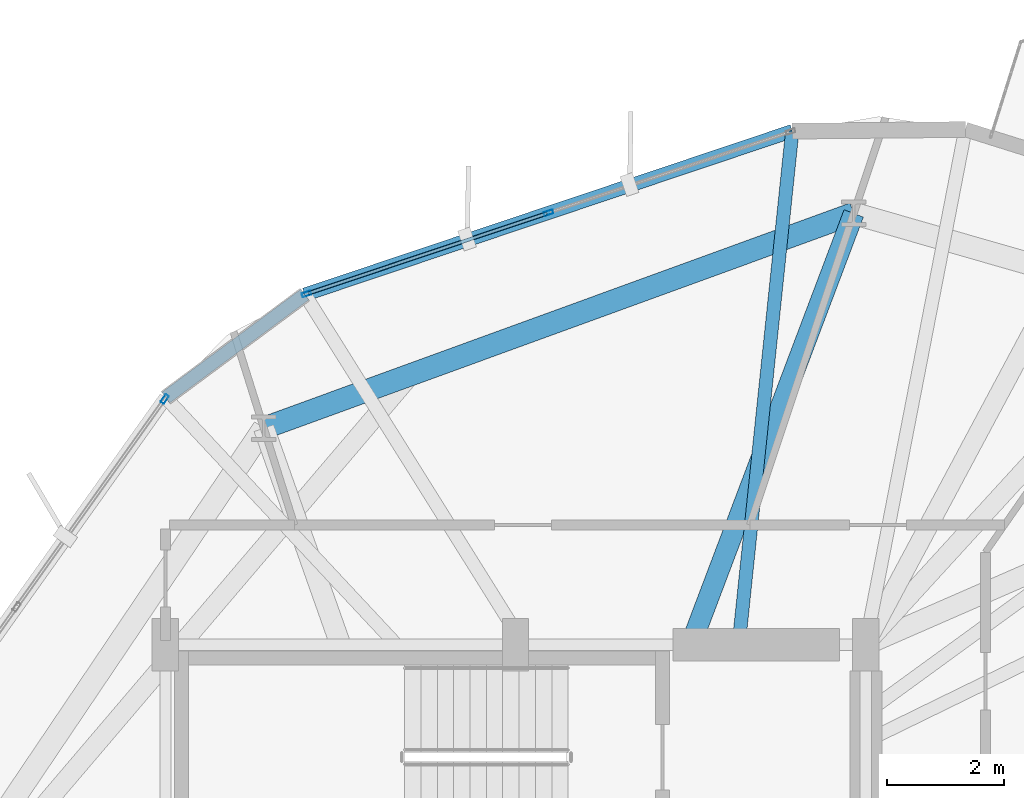
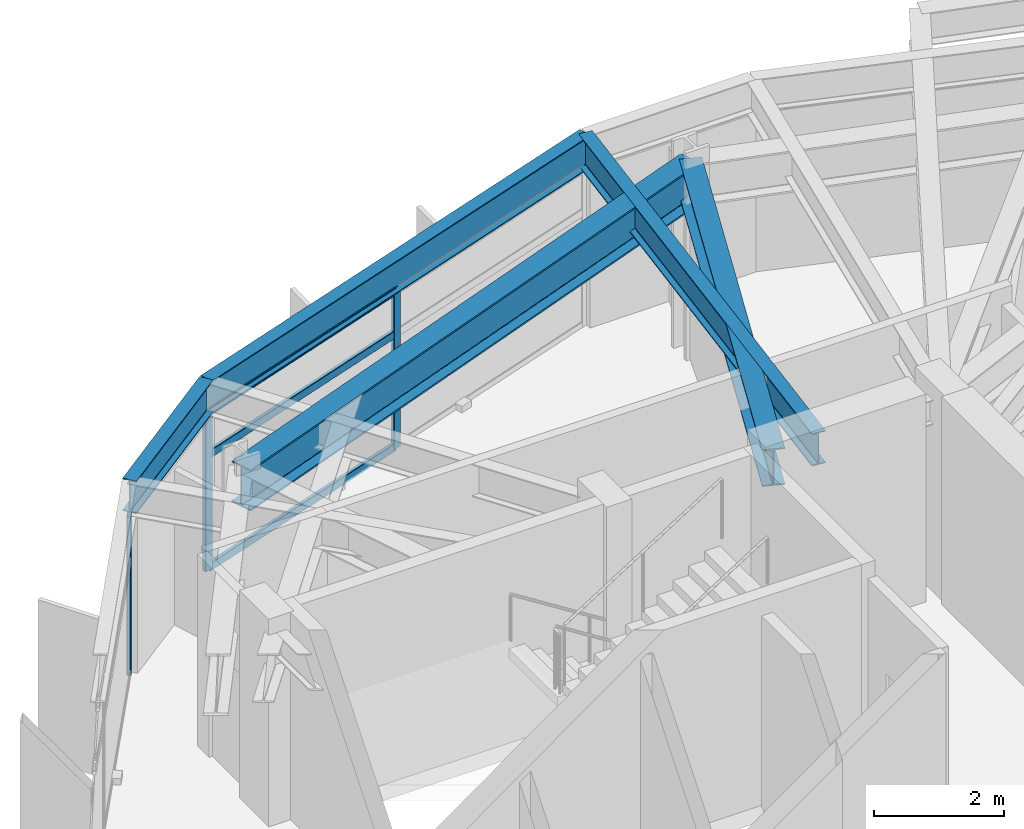
# One storey, part 17 of 27: 6 members, 5 beams, 2 elements without a shape of their own.
"""IFC4 building model written with IfcOpenShell, lengths in metres."""

from ifc_helpers import new_model, si_unit, direction, frame, origin, origin_2d, place, context, subcontext, project, spatial, hollow_rectangle, i_section, extrude, material, layer, layer_set, material_profile, profile_set, type_object, element, aggregate, save


model = new_model("IFC4")

# Units and contexts
model_context = context("Model", 3, precision=1e-05, world=origin(), true_north=direction((0.0, 1.0)))
body_context = subcontext(model_context, "Body", "Model", "MODEL_VIEW")
ifc_project = project(units=[si_unit("LENGTHUNIT", "METRE"), si_unit("AREAUNIT", "SQUARE_METRE"), si_unit("VOLUMEUNIT", "CUBIC_METRE"), si_unit("PLANEANGLEUNIT", "RADIAN"), si_unit("MASSUNIT", "GRAM", prefix="KILO")], contexts=[model_context])

# Site, building, storey
site_placement = place(None, origin())
site = spatial("IfcSite", under=ifc_project, at=site_placement, CompositionType="ELEMENT")
building_placement = place(site_placement, origin())
building = spatial("IfcBuilding", under=site, at=building_placement, Name="Soratama Intermodal Tower", CompositionType="ELEMENT")
storey_placement = place(building_placement, frame((0.0, 0.0, 103.0)))
storey = spatial("IfcBuildingStorey", under=building, at=storey_placement, Name="L24", CompositionType="ELEMENT", Elevation=103.0)

# Beams
ifc_material_1 = material(Name="Structural steel ASTM A992 Grade 50", Category="steel")
ifc_material_profile_1 = material_profile(ifc_material_1, i_section(OverallWidth=0.35498046875, OverallDepth=0.695068359375, WebThickness=0.015380859375, FlangeThickness=0.02490234375, FilletRadius=0.01611328125, at=origin_2d()), Name="W27X146")
ifc_profile_set_1 = profile_set([ifc_material_profile_1], Name="Structural steel ASTM A992 Grade 50")
beam_type_1 = type_object("IfcBeamType", Name="BM-RING-W27X146", PredefinedType="BEAM", material=ifc_profile_set_1)
beam_1_placement = place(storey_placement, frame((41.60009765625, 35.0, 3.25244140625), z_axis=(0.353577871145, 0.935405093549, 0.0), x_axis=(-0.935405093549, 0.353577871145, 0.0)))
element("IfcBeam", 1, at=beam_1_placement, inside=storey, type_object=beam_type_1, Name="BM-L24-RAD-03", PredefinedType="BEAM", context=body_context, shape_type="SweptSolid", body=[
    extrude(i_section(OverallWidth=0.35498046875, OverallDepth=0.695068359375, WebThickness=0.015380859375, FlangeThickness=0.02490234375, FilletRadius=0.01611328125, at=origin_2d()), origin(), (0.0, 0.0, 1.0), 7.899169921875),
])
ifc_material_2 = material(Name="Structural steel ASTM A992 Grade 50", Category="steel")
ifc_material_profile_2 = material_profile(ifc_material_2, i_section(OverallWidth=0.382080078125, OverallDepth=0.779052734375, WebThickness=0.01806640625, FlangeThickness=0.030029296875, FilletRadius=0.01806640625, at=origin_2d()), Name="W30X191")
ifc_profile_set_2 = profile_set([ifc_material_profile_2], Name="Structural steel ASTM A992 Grade 50")
beam_type_2 = type_object("IfcBeamType", Name="BM-RING-W30X191", PredefinedType="BEAM", material=ifc_profile_set_2)
beam_2_placement = place(storey_placement, frame((44.39306640625, 42.388916015625, 3.21044921875), z_axis=(-0.939690636038, -0.342025596326, 0.0), x_axis=(0.342025596326, -0.939690636038, 0.0)))
element("IfcBeam", 2, at=beam_2_placement, inside=storey, type_object=beam_type_2, Name="BM-L24-RING-03", PredefinedType="BEAM", context=body_context, shape_type="SweptSolid", body=[
    extrude(i_section(OverallWidth=0.382080078125, OverallDepth=0.779052734375, WebThickness=0.01806640625, FlangeThickness=0.030029296875, FilletRadius=0.01806640625, at=origin_2d()), origin(), (0.0, 0.0, 1.0), 10.75341796875),
])
ifc_material_3 = material(Name="Structural steel ASTM A992 Grade 50", Category="steel")
ifc_material_profile_3 = material_profile(ifc_material_3, i_section(OverallWidth=0.22900390625, OverallDepth=0.612060546875, WebThickness=0.011962890625, FlangeThickness=0.01953125, FilletRadius=0.012939453125, at=origin_2d()), Name="W24X84")
ifc_profile_set_3 = profile_set([ifc_material_profile_3], Name="Structural steel ASTM A992 Grade 50")
beam_type_3 = type_object("IfcBeamType", Name="BM-SPN-W24X84", PredefinedType="SPANDREL", material=ifc_profile_set_3)
beam_3_placement = place(storey_placement, frame((43.340087890625, 43.800048828125, 3.2939453125), z_axis=(-0.948080057339, -0.318031767085, 0.0), x_axis=(0.318031767085, -0.948080057339, 0.0)))
element("IfcBeam", 3, at=beam_3_placement, inside=storey, type_object=beam_type_3, Name="BS-L24-F03", PredefinedType="SPANDREL", context=body_context, shape_type="SweptSolid", body=[
    extrude(i_section(OverallWidth=0.22900390625, OverallDepth=0.612060546875, WebThickness=0.011962890625, FlangeThickness=0.01953125, FilletRadius=0.012939453125, at=origin_2d()), origin(), (0.0, 0.0, 1.0), 8.807373046875),
])
beam_4_placement = place(storey_placement, frame((34.989990234375, 40.9990234375, 3.2939453125), z_axis=(-0.803530954069, -0.595262972016, 0.0), x_axis=(0.595262972016, -0.803530954069, 0.0)))
element("IfcBeam", 4, at=beam_4_placement, inside=storey, type_object=beam_type_3, Name="BS-L24-CRN03", PredefinedType="SPANDREL", context=body_context, shape_type="SweptSolid", body=[
    extrude(i_section(OverallWidth=0.22900390625, OverallDepth=0.612060546875, WebThickness=0.011962890625, FlangeThickness=0.01953125, FilletRadius=0.012939453125, at=origin_2d()), origin(), (0.0, 0.0, 1.0), 2.967041015625),
])
ifc_material_4 = material(Name="Structural steel ASTM A992 Grade 50", Category="steel")
ifc_material_profile_4 = material_profile(ifc_material_4, i_section(OverallWidth=0.22900390625, OverallDepth=0.612060546875, WebThickness=0.011962890625, FlangeThickness=0.01953125, FilletRadius=0.012939453125, at=origin_2d()), Name="W24X84")
ifc_profile_set_4 = profile_set([ifc_material_profile_4], Name="Structural steel ASTM A992 Grade 50")
beam_type_4 = type_object("IfcBeamType", Name="BM-TIE-W24X84", PredefinedType="BEAM", material=ifc_profile_set_4)
beam_5_placement = place(storey_placement, frame((42.426025390625, 35.0400390625, 3.2939453125), z_axis=(0.103781468314, 0.994600124087, 0.0), x_axis=(-0.994600124087, 0.103781468314, 0.0)))
element("IfcBeam", 5, at=beam_5_placement, inside=storey, type_object=beam_type_4, Name="BM-L24-TIE0-03", PredefinedType="BEAM", context=body_context, shape_type="SweptSolid", body=[
    extrude(i_section(OverallWidth=0.22900390625, OverallDepth=0.612060546875, WebThickness=0.011962890625, FlangeThickness=0.01953125, FilletRadius=0.012939453125, at=origin_2d()), origin(), (0.0, 0.0, 1.0), 8.8076171875),
])

# Curtain wall, members
ifc_material_5 = material(Name="Double-glazed aluminium curtain wall", Category="aluminium")
ifc_layer = layer(ifc_material_5, 0.159912109375)
ifc_layer_set = layer_set([ifc_layer], Name="Double-glazed aluminium curtain wall")
curtain_wall_type = type_object("IfcCurtainWallType", Name="CW-SYS-3", PredefinedType="NOTDEFINED", material=ifc_layer_set)
curtain_wall_1_placement = place(storey_placement, origin())
curtain_wall_1 = element("IfcCurtainWall", 6, at=curtain_wall_1_placement, inside=storey, type_object=curtain_wall_type, Name="L24 Faceted Curtain Wall F03", PredefinedType="NOTDEFINED")
ifc_material_6 = material(Name="Anodised aluminium AA 6063-T6", Category="aluminium")
ifc_material_profile_5 = material_profile(ifc_material_6, hollow_rectangle(XDim=0.070068359375, YDim=0.159912109375, WallThickness=0.0048828125, InnerFilletRadius=0.0048828125, OuterFilletRadius=0.010009765625, at=origin_2d()), Name="CWM160X70X5")
ifc_profile_set_5 = profile_set([ifc_material_profile_5], Name="Anodised aluminium AA 6063-T6")
member_type_1 = type_object("IfcMemberType", Name="MT-CWM-3", PredefinedType="MULLION", material=ifc_profile_set_5)
member_1_placement = place(storey_placement, frame((39.164794921875, 42.3994140625, 0.0), z_axis=(0.0, 0.0, 1.0), x_axis=(0.317957776835, -0.948104874025, 0.0)))
member_1 = element("IfcMember", 7, at=member_1_placement, type_object=member_type_1, Name="CW-3 mullion 2", PredefinedType="MULLION", context=body_context, shape_type="SweptSolid", body=[
    extrude(hollow_rectangle(XDim=0.070068359375, YDim=0.159912109375, WallThickness=0.0048828125, InnerFilletRadius=0.0048828125, OuterFilletRadius=0.010009765625, at=origin_2d()), origin(), (0.0, 0.0, 1.0), 2.97900390625),
])
member_2_placement = place(storey_placement, frame((35.0185546875, 41.009033203125, 0.0), z_axis=(0.0, 0.0, 1.0), x_axis=(0.317957776835, -0.948104874025, 0.0)))
member_2 = element("IfcMember", 8, at=member_2_placement, type_object=member_type_1, Name="CW-3 mullion 3", PredefinedType="MULLION", context=body_context, shape_type="SweptSolid", body=[
    extrude(hollow_rectangle(XDim=0.070068359375, YDim=0.159912109375, WallThickness=0.0048828125, InnerFilletRadius=0.0048828125, OuterFilletRadius=0.010009765625, at=origin_2d()), origin(), (0.0, 0.0, 1.0), 2.97900390625),
])

# Curtain wall, member
curtain_wall_2_placement = place(storey_placement, origin())
curtain_wall_2 = element("IfcCurtainWall", 9, at=curtain_wall_2_placement, inside=storey, type_object=curtain_wall_type, Name="L24 Faceted Curtain Wall F04", PredefinedType="NOTDEFINED")
member_3_placement = place(storey_placement, frame((32.589111328125, 39.208740234375, 0.0), z_axis=(0.0, 0.0, 1.0), x_axis=(0.814519150028, -0.580136668585, 0.0)))
member_3 = element("IfcMember", 10, at=member_3_placement, type_object=member_type_1, Name="CW-3 mullion 1", PredefinedType="MULLION", context=body_context, shape_type="SweptSolid", body=[
    extrude(hollow_rectangle(XDim=0.070068359375, YDim=0.159912109375, WallThickness=0.0048828125, InnerFilletRadius=0.0048828125, OuterFilletRadius=0.010009765625, at=origin_2d()), origin(), (0.0, 0.0, 1.0), 2.97900390625),
])
aggregate(curtain_wall_2, [member_3])

# Member
ifc_material_7 = material(Name="Anodised aluminium AA 6063-T6", Category="aluminium")
ifc_material_profile_6 = material_profile(ifc_material_7, hollow_rectangle(XDim=0.06494140625, YDim=0.14990234375, WallThickness=0.0048828125, InnerFilletRadius=0.0048828125, OuterFilletRadius=0.010009765625, at=origin_2d()), Name="CWT150X65X5")
ifc_profile_set_6 = profile_set([ifc_material_profile_6], Name="Anodised aluminium AA 6063-T6")
member_type_2 = type_object("IfcMemberType", Name="TT-CWT-1", PredefinedType="USERDEFINED", material=ifc_profile_set_6)
member_4_placement = place(storey_placement, frame((39.13623046875, 42.389892578125, 0.030029296875), z_axis=(-0.948110051517, -0.317942337873, 0.0), x_axis=(0.317942337873, -0.948110051517, 0.0)))
member_4 = element("IfcMember", 11, at=member_4_placement, type_object=member_type_2, Name="CW-3 transom 2.1", ObjectType="TRANSOM", PredefinedType="USERDEFINED", context=body_context, shape_type="SweptSolid", body=[
    extrude(hollow_rectangle(XDim=0.06494140625, YDim=0.14990234375, WallThickness=0.0048828125, InnerFilletRadius=0.0048828125, OuterFilletRadius=0.010009765625, at=origin_2d()), origin(), (0.0, 0.0, 1.0), 4.313232421875),
])

member_5_placement = place(storey_placement, frame((39.13623046875, 42.389892578125, 2.14990234375), z_axis=(-0.948110051517, -0.317942337873, 0.0), x_axis=(0.317942337873, -0.948110051517, 0.0)))
member_5 = element("IfcMember", 12, at=member_5_placement, type_object=member_type_2, Name="CW-3 transom 2.2", ObjectType="TRANSOM", PredefinedType="USERDEFINED", context=body_context, shape_type="SweptSolid", body=[
    extrude(hollow_rectangle(XDim=0.06494140625, YDim=0.14990234375, WallThickness=0.0048828125, InnerFilletRadius=0.0048828125, OuterFilletRadius=0.010009765625, at=origin_2d()), origin(), (0.0, 0.0, 1.0), 4.313232421875),
])

member_6_placement = place(storey_placement, frame((39.13623046875, 42.389892578125, 2.948974609375), z_axis=(-0.948110051517, -0.317942337873, 0.0), x_axis=(0.317942337873, -0.948110051517, 0.0)))
member_6 = element("IfcMember", 13, at=member_6_placement, type_object=member_type_2, Name="CW-3 transom 2.3", ObjectType="TRANSOM", PredefinedType="USERDEFINED", context=body_context, shape_type="SweptSolid", body=[
    extrude(hollow_rectangle(XDim=0.06494140625, YDim=0.14990234375, WallThickness=0.0048828125, InnerFilletRadius=0.0048828125, OuterFilletRadius=0.010009765625, at=origin_2d()), origin(), (0.0, 0.0, 1.0), 4.313232421875),
])

aggregate(curtain_wall_1, [member_1, member_2, member_4, member_5, member_6])

save(model, "model.ifc")
